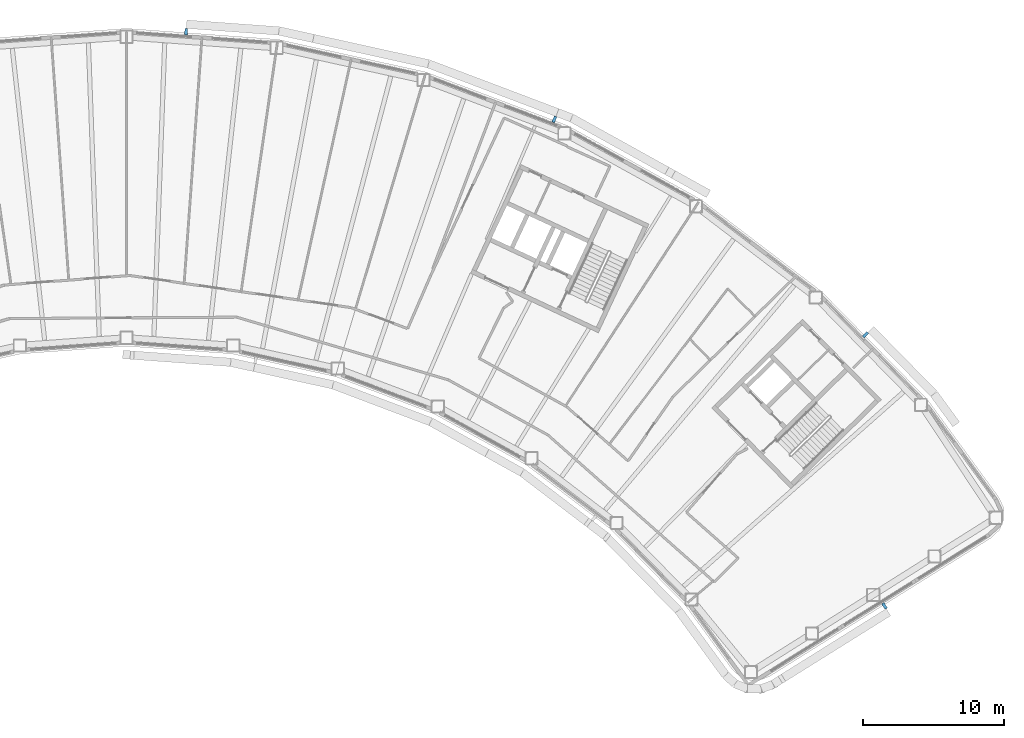
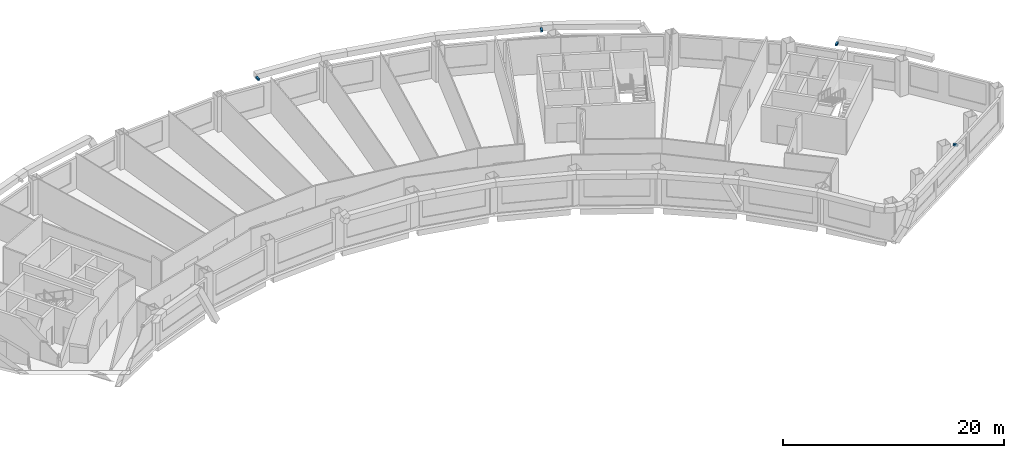
# One storey, part 13 of 16: 4 discrete accessories.
"""IFC4 building model written with IfcOpenShell, lengths in metres."""

from ifc_helpers import new_model, si_unit, direction, frame, origin, origin_2d, place, context, subcontext, project, spatial, rectangle, extrude, material, type_object, element, save


model = new_model("IFC4")

# Units and contexts
model_context = context("Model", 3, precision=1e-05, world=origin(), true_north=direction((0.0, 1.0)))
body_context = subcontext(model_context, "Body", "Model", "MODEL_VIEW")
ifc_project = project(units=[si_unit("LENGTHUNIT", "METRE"), si_unit("AREAUNIT", "SQUARE_METRE"), si_unit("VOLUMEUNIT", "CUBIC_METRE"), si_unit("PLANEANGLEUNIT", "RADIAN"), si_unit("MASSUNIT", "GRAM", prefix="KILO")], contexts=[model_context])

# Site, building, storey
site_placement = place(None, origin())
site = spatial("IfcSite", under=ifc_project, at=site_placement, CompositionType="ELEMENT")
building_placement = place(site_placement, origin())
building = spatial("IfcBuilding", under=site, at=building_placement, Name="Tuul Gate Civic Tower", CompositionType="ELEMENT")
storey_placement = place(building_placement, frame((0.0, 0.0, 184.699951171875)))
storey = spatial("IfcBuildingStorey", under=building, at=storey_placement, Name="Level 42", CompositionType="ELEMENT", Elevation=184.699951171875)

# Discrete accessories
ifc_material = material(Name="Stainless steel", Category="steel")
discrete_accessory_type = type_object("IfcDiscreteAccessoryType", Name="Screen bracket", PredefinedType="BRACKET", material=ifc_material)
discrete_accessory_1_placement = place(storey_placement, frame((53.425537109375, -7.520263671875, 3.75), z_axis=(0.0, 0.0, 1.0), x_axis=(0.704906613617, 0.709300124122, 0.0)))
element("IfcDiscreteAccessory", 1, at=discrete_accessory_1_placement, inside=storey, type_object=discrete_accessory_type, Name="Screen bracket 3", PredefinedType="BRACKET", context=body_context, shape_type="SweptSolid", body=[
    extrude(rectangle(XDim=0.449951171875, YDim=0.199951171875, at=origin_2d()), origin(), (0.0, 0.0, 1.0), 0.199951171875),
])
discrete_accessory_2_placement = place(storey_placement, frame((31.344970703125, 7.759033203125, 3.75), z_axis=(0.0, 0.0, 1.0), x_axis=(0.407425324445, 0.913238525797, 0.0)))
element("IfcDiscreteAccessory", 2, at=discrete_accessory_2_placement, inside=storey, type_object=discrete_accessory_type, Name="Screen bracket 6", PredefinedType="BRACKET", context=body_context, shape_type="SweptSolid", body=[
    extrude(rectangle(XDim=0.45068359375, YDim=0.199951171875, at=origin_2d()), origin(), (0.0, 0.0, 1.0), 0.199951171875),
])
discrete_accessory_3_placement = place(storey_placement, frame((5.216064453125, 13.986572265625, 3.75), z_axis=(0.0, 0.0, 1.0), x_axis=(0.056813021183, 0.998384835935, 0.0)))
element("IfcDiscreteAccessory", 3, at=discrete_accessory_3_placement, inside=storey, type_object=discrete_accessory_type, Name="Screen bracket 9", PredefinedType="BRACKET", context=body_context, shape_type="SweptSolid", body=[
    extrude(rectangle(XDim=0.4501953125, YDim=0.199951171875, at=origin_2d()), origin(), (0.0, 0.0, 1.0), 0.199951171875),
])
discrete_accessory_4_placement = place(storey_placement, frame((54.770751953125, -26.765380859375, 3.75), z_axis=(0.0, 0.0, 1.0), x_axis=(0.536424954277, -0.84394802472, 0.0)))
element("IfcDiscreteAccessory", 4, at=discrete_accessory_4_placement, inside=storey, type_object=discrete_accessory_type, Name="Screen bracket 33", PredefinedType="BRACKET", context=body_context, shape_type="SweptSolid", body=[
    extrude(rectangle(XDim=0.449951171875, YDim=0.199951171875, at=origin_2d()), origin(), (0.0, 0.0, 1.0), 0.199951171875),
])

save(model, "model.ifc")
